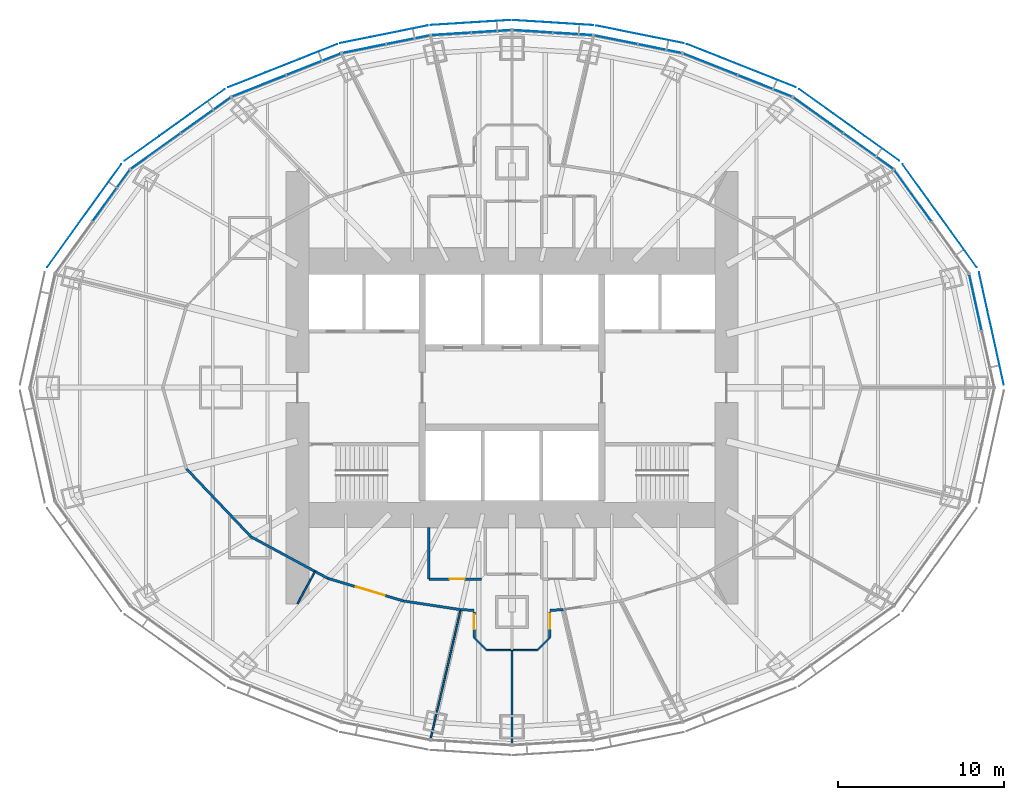
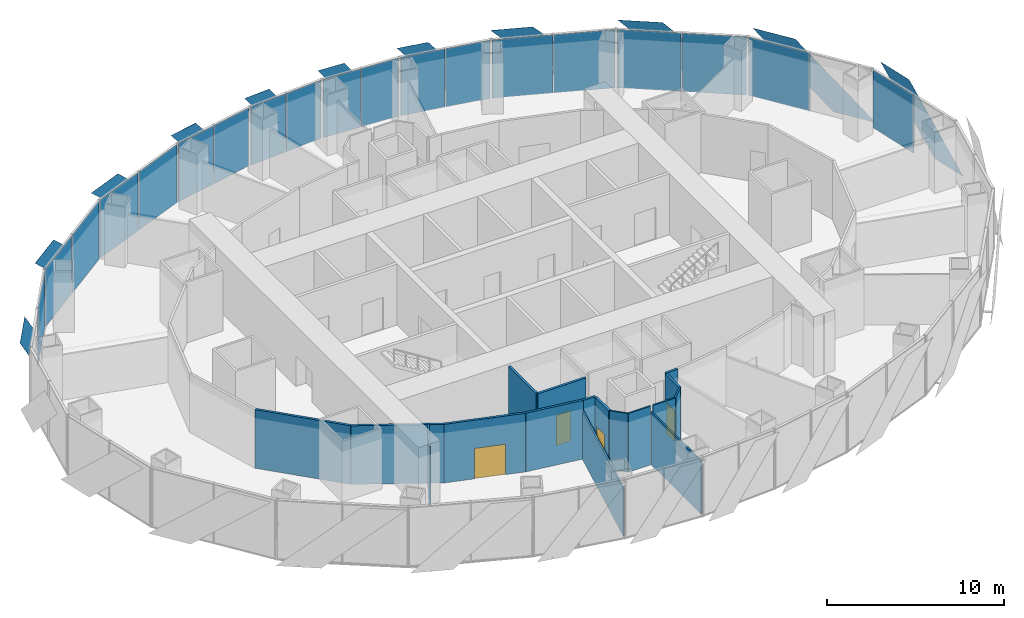
# One storey, part 10 of 18: 30 plates, 17 walls, 4 doors, 4 openings, 11 elements without a shape of their own.
"""IFC4 building model written with IfcOpenShell, lengths in metres."""

from ifc_helpers import new_model, si_unit, direction, frame, frame_2d, origin, origin_2d, place, context, subcontext, project, spatial, polyline, rectangle, outline, extrude, material, layer, layer_set, type_object, element, fill, aggregate, save


model = new_model("IFC4")

# Units and contexts
model_context = context("Model", 3, precision=1e-05, world=origin(), true_north=direction((0.0, 1.0)))
body_context = subcontext(model_context, "Body", "Model", "MODEL_VIEW")
ifc_project = project(units=[si_unit("LENGTHUNIT", "METRE"), si_unit("AREAUNIT", "SQUARE_METRE"), si_unit("VOLUMEUNIT", "CUBIC_METRE"), si_unit("PLANEANGLEUNIT", "RADIAN"), si_unit("MASSUNIT", "GRAM", prefix="KILO")], contexts=[model_context])

# Site, building, storey
site_placement = place(None, origin())
site = spatial("IfcSite", under=ifc_project, at=site_placement, CompositionType="ELEMENT")
building_placement = place(site_placement, origin())
building = spatial("IfcBuilding", under=site, at=building_placement, Name="Lantaw Convention Tower", CompositionType="ELEMENT")
storey_placement = place(building_placement, frame((0.0, 0.0, 146.800048828125)))
storey = spatial("IfcBuildingStorey", under=building, at=storey_placement, Name="L34", CompositionType="ELEMENT", Elevation=146.800048828125)

# Curtain wall, plate
ifc_material_1 = material(Name="Aluminium framed curtain wall", Category="aluminium")
curtain_wall_type = type_object("IfcCurtainWallType", Name="Office curtain wall low rise, pale aluminium", PredefinedType="USERDEFINED", material=ifc_material_1)
curtain_wall_1_placement = place(storey_placement, origin())
curtain_wall_1 = element("IfcCurtainWall", 1, at=curtain_wall_1_placement, inside=storey, type_object=curtain_wall_type, Name="Office curtain wall low rise, pale aluminium L34", ObjectType="UNITISED CURTAIN WALL", PredefinedType="USERDEFINED")
ifc_material_2 = material(Name="Clear insulating glass", Category="glass")
ifc_layer_1 = layer(ifc_material_2, 0.028076171875)
ifc_layer_set_1 = layer_set([ifc_layer_1], Name="CW-O1 panel 28")
plate_type_1 = type_object("IfcPlateType", Name="CW-O1 panel 28", PredefinedType="CURTAIN_PANEL", material=ifc_layer_set_1)
plate_1_placement = place(storey_placement, frame((27.868896484375, 5.1240234375, -0.0849609375), z_axis=(0.0, 0.0, 1.0), x_axis=(-0.215546166174, 0.9764936509, 0.0)))
plate_1 = element("IfcPlate", 2, at=plate_1_placement, type_object=plate_type_1, Name="CW-O1 panel 2.1", PredefinedType="CURTAIN_PANEL", context=body_context, shape_type="SweptSolid", body=[
    extrude(rectangle(XDim=3.41162109375, YDim=0.028076171875, at=origin_2d()), origin(), (0.0, 0.0, 1.0), 4.02001953125),
])
aggregate(curtain_wall_1, [plate_1])

curtain_wall_2_placement = place(storey_placement, origin())
curtain_wall_2 = element("IfcCurtainWall", 3, at=curtain_wall_2_placement, inside=storey, type_object=curtain_wall_type, Name="Office curtain wall low rise, pale aluminium L34", ObjectType="UNITISED CURTAIN WALL", PredefinedType="USERDEFINED")
plate_2_placement = place(storey_placement, frame((24.108154296875, 11.5439453125, -0.0849609375), z_axis=(0.0, 0.0, 1.0), x_axis=(-0.584512597221, 0.811384633629, 0.0)))
plate_2 = element("IfcPlate", 4, at=plate_2_placement, type_object=plate_type_1, Name="CW-O1 panel 2.1", PredefinedType="CURTAIN_PANEL", context=body_context, shape_type="SweptSolid", body=[
    extrude(rectangle(XDim=3.767333984375, YDim=0.028076171875, at=origin_2d()), origin(), (0.0, 0.0, 1.0), 4.02001953125),
])
aggregate(curtain_wall_2, [plate_2])

# Curtain wall, plates
curtain_wall_3_placement = place(storey_placement, origin())
curtain_wall_3 = element("IfcCurtainWall", 5, at=curtain_wall_3_placement, inside=storey, type_object=curtain_wall_type, Name="Office curtain wall low rise, pale aluminium L34", ObjectType="UNITISED CURTAIN WALL", PredefinedType="USERDEFINED")
plate_3_placement = place(storey_placement, frame((21.43408203125, 14.2236328125, -0.0849609375), z_axis=(0.0, 0.0, 1.0), x_axis=(-0.813208325995, 0.581972695693, 0.0)))
plate_3 = element("IfcPlate", 6, at=plate_3_placement, type_object=plate_type_1, Name="CW-O1 panel 1.1", PredefinedType="CURTAIN_PANEL", context=body_context, shape_type="SweptSolid", body=[
    extrude(rectangle(XDim=3.645263671875, YDim=0.028076171875, at=origin_2d()), origin(), (0.0, 0.0, 1.0), 4.02001953125),
])
plate_4_placement = place(storey_placement, frame((18.416748046875, 16.383056640625, -0.0849609375), z_axis=(0.0, 0.0, 1.0), x_axis=(-0.813208325995, 0.581972695693, 0.0)))
plate_4 = element("IfcPlate", 7, at=plate_4_placement, type_object=plate_type_1, Name="CW-O1 panel 2.1", PredefinedType="CURTAIN_PANEL", context=body_context, shape_type="SweptSolid", body=[
    extrude(rectangle(XDim=3.645263671875, YDim=0.028076171875, at=origin_2d()), origin(), (0.0, 0.0, 1.0), 4.02001953125),
])
aggregate(curtain_wall_3, [plate_3, plate_4])

curtain_wall_4_placement = place(storey_placement, origin())
curtain_wall_4 = element("IfcCurtainWall", 8, at=curtain_wall_4_placement, inside=storey, type_object=curtain_wall_type, Name="Office curtain wall low rise, pale aluminium L34", ObjectType="UNITISED CURTAIN WALL", PredefinedType="USERDEFINED")
plate_5_placement = place(storey_placement, frame((15.208251953125, 18.145263671875, -0.0849609375), z_axis=(0.0, 0.0, 1.0), x_axis=(-0.929547687544, 0.368701907483, 0.0)))
plate_5 = element("IfcPlate", 9, at=plate_5_placement, type_object=plate_type_1, Name="CW-O1 panel 1.1", PredefinedType="CURTAIN_PANEL", context=body_context, shape_type="SweptSolid", body=[
    extrude(rectangle(XDim=3.470703125, YDim=0.028076171875, at=origin_2d()), origin(), (0.0, 0.0, 1.0), 4.02001953125),
])
plate_6_placement = place(storey_placement, frame((11.921630859375, 19.448974609375, -0.0849609375), z_axis=(0.0, 0.0, 1.0), x_axis=(-0.929547687544, 0.368701907483, 0.0)))
plate_6 = element("IfcPlate", 10, at=plate_6_placement, type_object=plate_type_1, Name="CW-O1 panel 2.1", PredefinedType="CURTAIN_PANEL", context=body_context, shape_type="SweptSolid", body=[
    extrude(rectangle(XDim=3.470703125, YDim=0.028076171875, at=origin_2d()), origin(), (0.0, 0.0, 1.0), 4.02001953125),
])
aggregate(curtain_wall_4, [plate_5, plate_6])

curtain_wall_5_placement = place(storey_placement, origin())
curtain_wall_5 = element("IfcCurtainWall", 11, at=curtain_wall_5_placement, inside=storey, type_object=curtain_wall_type, Name="Office curtain wall low rise, pale aluminium L34", ObjectType="UNITISED CURTAIN WALL", PredefinedType="USERDEFINED")
plate_7_placement = place(storey_placement, frame((8.893310546875, 20.3857421875, -0.0849609375), z_axis=(0.0, 0.0, 1.0), x_axis=(-0.980301514912, 0.197506809659, 0.0)))
plate_7 = element("IfcPlate", 12, at=plate_7_placement, type_object=plate_type_1, Name="CW-O1 panel 1.1", PredefinedType="CURTAIN_PANEL", context=body_context, shape_type="SweptSolid", body=[
    extrude(rectangle(XDim=2.634033203125, YDim=0.028076171875, at=origin_2d()), origin(), (0.0, 0.0, 1.0), 4.02001953125),
])
plate_8_placement = place(storey_placement, frame((6.247314453125, 20.9189453125, -0.0849609375), z_axis=(0.0, 0.0, 1.0), x_axis=(-0.980301514912, 0.197506809659, 0.0)))
plate_8 = element("IfcPlate", 13, at=plate_8_placement, type_object=plate_type_1, Name="CW-O1 panel 2.1", PredefinedType="CURTAIN_PANEL", context=body_context, shape_type="SweptSolid", body=[
    extrude(rectangle(XDim=2.634033203125, YDim=0.028076171875, at=origin_2d()), origin(), (0.0, 0.0, 1.0), 4.02001953125),
])
aggregate(curtain_wall_5, [plate_7, plate_8])

curtain_wall_6_placement = place(storey_placement, origin())
curtain_wall_6 = element("IfcCurtainWall", 14, at=curtain_wall_6_placement, inside=storey, type_object=curtain_wall_type, Name="Office curtain wall low rise, pale aluminium L34", ObjectType="UNITISED CURTAIN WALL", PredefinedType="USERDEFINED")
plate_9_placement = place(storey_placement, frame((3.653076171875, 21.269775390625, -0.0849609375), z_axis=(0.0, 0.0, 1.0), x_axis=(-0.998022035978, 0.062865059466, 0.0)))
plate_9 = element("IfcPlate", 15, at=plate_9_placement, type_object=plate_type_1, Name="CW-O1 panel 1.1", PredefinedType="CURTAIN_PANEL", context=body_context, shape_type="SweptSolid", body=[
    extrude(rectangle(XDim=2.353515625, YDim=0.028076171875, at=origin_2d()), origin(), (0.0, 0.0, 1.0), 4.02001953125),
])
plate_10_placement = place(storey_placement, frame((1.2392578125, 21.421875, -0.0849609375), z_axis=(0.0, 0.0, 1.0), x_axis=(-0.998022035978, 0.062865059466, 0.0)))
plate_10 = element("IfcPlate", 16, at=plate_10_placement, type_object=plate_type_1, Name="CW-O1 panel 2.1", PredefinedType="CURTAIN_PANEL", context=body_context, shape_type="SweptSolid", body=[
    extrude(rectangle(XDim=2.353515625, YDim=0.028076171875, at=origin_2d()), origin(), (0.0, 0.0, 1.0), 4.02001953125),
])
aggregate(curtain_wall_6, [plate_9, plate_10])

curtain_wall_7_placement = place(storey_placement, origin())
curtain_wall_7 = element("IfcCurtainWall", 17, at=curtain_wall_7_placement, inside=storey, type_object=curtain_wall_type, Name="Office curtain wall low rise, pale aluminium L34", ObjectType="UNITISED CURTAIN WALL", PredefinedType="USERDEFINED")
plate_11_placement = place(storey_placement, frame((-1.2392578125, 21.421875, -0.0849609375), z_axis=(0.0, 0.0, 1.0), x_axis=(-0.998022035978, -0.062865059466, 0.0)))
plate_11 = element("IfcPlate", 18, at=plate_11_placement, type_object=plate_type_1, Name="CW-O1 panel 1.1", PredefinedType="CURTAIN_PANEL", context=body_context, shape_type="SweptSolid", body=[
    extrude(rectangle(XDim=2.353515625, YDim=0.028076171875, at=origin_2d()), origin(), (0.0, 0.0, 1.0), 4.02001953125),
])
plate_12_placement = place(storey_placement, frame((-3.653076171875, 21.269775390625, -0.0849609375), z_axis=(0.0, 0.0, 1.0), x_axis=(-0.998022035978, -0.062865059466, 0.0)))
plate_12 = element("IfcPlate", 19, at=plate_12_placement, type_object=plate_type_1, Name="CW-O1 panel 2.1", PredefinedType="CURTAIN_PANEL", context=body_context, shape_type="SweptSolid", body=[
    extrude(rectangle(XDim=2.353515625, YDim=0.028076171875, at=origin_2d()), origin(), (0.0, 0.0, 1.0), 4.02001953125),
])
aggregate(curtain_wall_7, [plate_11, plate_12])

curtain_wall_8_placement = place(storey_placement, origin())
curtain_wall_8 = element("IfcCurtainWall", 20, at=curtain_wall_8_placement, inside=storey, type_object=curtain_wall_type, Name="Office curtain wall low rise, pale aluminium L34", ObjectType="UNITISED CURTAIN WALL", PredefinedType="USERDEFINED")
plate_13_placement = place(storey_placement, frame((-6.247314453125, 20.9189453125, -0.0849609375), z_axis=(0.0, 0.0, 1.0), x_axis=(-0.980301514912, -0.197506809659, 0.0)))
plate_13 = element("IfcPlate", 21, at=plate_13_placement, type_object=plate_type_1, Name="CW-O1 panel 1.1", PredefinedType="CURTAIN_PANEL", context=body_context, shape_type="SweptSolid", body=[
    extrude(rectangle(XDim=2.634033203125, YDim=0.028076171875, at=origin_2d()), origin(), (0.0, 0.0, 1.0), 4.02001953125),
])
plate_14_placement = place(storey_placement, frame((-8.893310546875, 20.3857421875, -0.0849609375), z_axis=(0.0, 0.0, 1.0), x_axis=(-0.980301514912, -0.197506809659, 0.0)))
plate_14 = element("IfcPlate", 22, at=plate_14_placement, type_object=plate_type_1, Name="CW-O1 panel 2.1", PredefinedType="CURTAIN_PANEL", context=body_context, shape_type="SweptSolid", body=[
    extrude(rectangle(XDim=2.634033203125, YDim=0.028076171875, at=origin_2d()), origin(), (0.0, 0.0, 1.0), 4.02001953125),
])
aggregate(curtain_wall_8, [plate_13, plate_14])

curtain_wall_9_placement = place(storey_placement, origin())
curtain_wall_9 = element("IfcCurtainWall", 23, at=curtain_wall_9_placement, inside=storey, type_object=curtain_wall_type, Name="Office curtain wall low rise, pale aluminium L34", ObjectType="UNITISED CURTAIN WALL", PredefinedType="USERDEFINED")
plate_15_placement = place(storey_placement, frame((-11.921630859375, 19.448974609375, -0.0849609375), z_axis=(0.0, 0.0, 1.0), x_axis=(-0.929547687544, -0.368701907483, 0.0)))
plate_15 = element("IfcPlate", 24, at=plate_15_placement, type_object=plate_type_1, Name="CW-O1 panel 1.1", PredefinedType="CURTAIN_PANEL", context=body_context, shape_type="SweptSolid", body=[
    extrude(rectangle(XDim=3.470703125, YDim=0.028076171875, at=origin_2d()), origin(), (0.0, 0.0, 1.0), 4.02001953125),
])
plate_16_placement = place(storey_placement, frame((-15.208251953125, 18.145263671875, -0.0849609375), z_axis=(0.0, 0.0, 1.0), x_axis=(-0.929547687544, -0.368701907483, 0.0)))
plate_16 = element("IfcPlate", 25, at=plate_16_placement, type_object=plate_type_1, Name="CW-O1 panel 2.1", PredefinedType="CURTAIN_PANEL", context=body_context, shape_type="SweptSolid", body=[
    extrude(rectangle(XDim=3.470703125, YDim=0.028076171875, at=origin_2d()), origin(), (0.0, 0.0, 1.0), 4.02001953125),
])
aggregate(curtain_wall_9, [plate_15, plate_16])

curtain_wall_10_placement = place(storey_placement, origin())
curtain_wall_10 = element("IfcCurtainWall", 26, at=curtain_wall_10_placement, inside=storey, type_object=curtain_wall_type, Name="Office curtain wall low rise, pale aluminium L34", ObjectType="UNITISED CURTAIN WALL", PredefinedType="USERDEFINED")
plate_17_placement = place(storey_placement, frame((-18.416748046875, 16.383056640625, -0.0849609375), z_axis=(0.0, 0.0, 1.0), x_axis=(-0.813208325995, -0.581972695693, 0.0)))
plate_17 = element("IfcPlate", 27, at=plate_17_placement, type_object=plate_type_1, Name="CW-O1 panel 1.1", PredefinedType="CURTAIN_PANEL", context=body_context, shape_type="SweptSolid", body=[
    extrude(rectangle(XDim=3.645263671875, YDim=0.028076171875, at=origin_2d()), origin(), (0.0, 0.0, 1.0), 4.02001953125),
])
plate_18_placement = place(storey_placement, frame((-21.43408203125, 14.2236328125, -0.0849609375), z_axis=(0.0, 0.0, 1.0), x_axis=(-0.813208325995, -0.581972695693, 0.0)))
plate_18 = element("IfcPlate", 28, at=plate_18_placement, type_object=plate_type_1, Name="CW-O1 panel 2.1", PredefinedType="CURTAIN_PANEL", context=body_context, shape_type="SweptSolid", body=[
    extrude(rectangle(XDim=3.645263671875, YDim=0.028076171875, at=origin_2d()), origin(), (0.0, 0.0, 1.0), 4.02001953125),
])
aggregate(curtain_wall_10, [plate_17, plate_18])

# Curtain wall, plate
curtain_wall_11_placement = place(storey_placement, origin())
curtain_wall_11 = element("IfcCurtainWall", 29, at=curtain_wall_11_placement, inside=storey, type_object=curtain_wall_type, Name="Office curtain wall low rise, pale aluminium L34", ObjectType="UNITISED CURTAIN WALL", PredefinedType="USERDEFINED")
plate_19_placement = place(storey_placement, frame((-24.108154296875, 11.5439453125, -0.0849609375), z_axis=(0.0, 0.0, 1.0), x_axis=(-0.584512597221, -0.811384633629, 0.0)))
plate_19 = element("IfcPlate", 30, at=plate_19_placement, type_object=plate_type_1, Name="CW-O1 panel 1.1", PredefinedType="CURTAIN_PANEL", context=body_context, shape_type="SweptSolid", body=[
    extrude(rectangle(XDim=3.767333984375, YDim=0.028076171875, at=origin_2d()), origin(), (0.0, 0.0, 1.0), 4.02001953125),
])
aggregate(curtain_wall_11, [plate_19])

# Plates
ifc_material_3 = material(Name="Perforated aluminium sheet, pale silver finish", Category="aluminium")
ifc_layer_2 = layer(ifc_material_3, 0.006103515625)
ifc_layer_set_2 = layer_set([ifc_layer_2], Name="Perforated aluminium solar SCREEN panel")
plate_type_2 = type_object("IfcPlateType", Name="Perforated aluminium solar SCREEN panel", PredefinedType="SHEET", material=ifc_layer_set_2)
plate_20_placement = place(storey_placement, frame((29.5810546875, 0.179443359375, -0.175048828125), z_axis=(0.976497812463, 0.215527309509, 3.332717e-05), x_axis=(-0.215527309629, 0.976497813005, 1.665e-09)))
element("IfcPlate", 31, at=plate_20_placement, inside=storey, type_object=plate_type_2, Name="Solar SCREEN panel", PredefinedType="SHEET", context=body_context, shape_type="SweptSolid", body=[
    extrude(outline(polyline([(0.0, 0.0), (2.3861843673609986, 3.3881317890172014e-21), (6.918240190546627, 4.340087881517419), (4.532108442157707, 4.340087889462621), (0.0, 0.0)])), origin(), (0.0, 0.0, -1.0), 0.006103515625),
])
plate_21_placement = place(storey_placement, frame((27.94970703125, 7.248046875, -0.175048828125), z_axis=(0.81139512159, 0.584498037099, 3.5886784e-05), x_axis=(-0.584498037475, 0.811395122112, -9.74e-10)))
element("IfcPlate", 32, at=plate_21_placement, inside=storey, type_object=plate_type_2, Name="Solar SCREEN panel", PredefinedType="SHEET", context=body_context, shape_type="SweptSolid", body=[
    extrude(outline(polyline([(0.0, 0.0), (2.628222178575422, -6.776263578034403e-21), (7.629778257969264, 4.340087900852944), (5.001754173906077, 4.340087895732103), (0.0, 0.0)])), origin(), (0.0, 0.0, -1.0), 0.006103515625),
])
plate_22_placement = place(storey_placement, frame((23.281005859375, 13.64697265625, -0.175048828125), z_axis=(0.582000183937, 0.813188653244, 1.1537145e-05), x_axis=(-0.813188653298, 0.582000183975, 0.0)))
element("IfcPlate", 33, at=plate_22_placement, inside=storey, type_object=plate_type_2, Name="Solar SCREEN panel", PredefinedType="SHEET", context=body_context, shape_type="SweptSolid", body=[
    extrude(outline(polyline([(0.0, 0.0), (2.5450183911586484, 0.0), (7.385531276904658, 4.340087890913846), (4.840512885746009, 4.340087890913846), (0.0, 0.0)])), origin(), (0.0, 0.0, -1.0), 0.006103515625),
])
plate_23_placement = place(storey_placement, frame((17.05859375, 18.063232421875, -0.175048828125), z_axis=(-0.368708915367, -0.929544907797, 1.086705e-05), x_axis=(-0.929544907851, 0.368708915389, 7.1e-10)))
element("IfcPlate", 34, at=plate_23_placement, inside=storey, type_object=plate_type_2, Name="Solar SCREEN panel", PredefinedType="SHEET", context=body_context, shape_type="SweptSolid", body=[
    extrude(outline(polyline([(0.0, 0.0), (2.4263803793049097, -1.6940658945086007e-21), (7.036549629566982, -4.340087885886879), (4.61003232741235, -4.340087889331358), (0.0, 0.0)])), origin(), (0.0, 0.0, -1.0), 0.006103515625),
])
plate_24_placement = place(storey_placement, frame((10.318603515625, 20.716796875, -0.175048828125), z_axis=(0.197556725442, 0.980291455983, 3.9483498e-05), x_axis=(-0.980291456747, 0.197556725596, 0.0)))
element("IfcPlate", 35, at=plate_24_placement, inside=storey, type_object=plate_type_2, Name="Solar SCREEN panel", PredefinedType="SHEET", context=body_context, shape_type="SweptSolid", body=[
    extrude(outline(polyline([(0.0, 0.0), (1.8574075788555457, 3.3881317890172014e-21), (5.362987026845185, 4.340087894007983), (3.505579447989639, 4.340087894007983), (0.0, 0.0)])), origin(), (0.0, 0.0, -1.0), 0.006103515625),
])
plate_25_placement = place(storey_placement, frame((4.880615234375, 21.7998046875, -0.175048828125), z_axis=(0.062838799866, 0.998023689713, 1.755059e-06), x_axis=(-0.998023689715, 0.062838799866, -8e-12)))
element("IfcPlate", 36, at=plate_25_placement, inside=storey, type_object=plate_type_2, Name="Solar SCREEN panel", PredefinedType="SHEET", context=body_context, shape_type="SweptSolid", body=[
    extrude(outline(polyline([(0.0, 0.0), (1.6666243269452135, 2.6469779601696886e-23), (4.802214797186689, 4.340087890670476), (3.135346812114104, 4.340087890643548), (0.0, 0.0)])), origin(), (0.0, 0.0, -1.0), 0.006103515625),
])
plate_26_placement = place(storey_placement, frame((-0.087890625, 22.1015625, -0.175048828125), z_axis=(0.062838799866, -0.998023689713, 1.755059e-06), x_axis=(-0.998023689715, -0.062838799866, 8e-12)))
element("IfcPlate", 37, at=plate_26_placement, inside=storey, type_object=plate_type_2, Name="Solar SCREEN panel", PredefinedType="SHEET", context=body_context, shape_type="SweptSolid", body=[
    extrude(outline(polyline([(0.0, 0.0), (1.6668679850725854, -5.293955920339377e-23), (4.802214797256801, -4.340087890592899), (3.1355904703115876, -4.340087890619822), (0.0, 0.0)])), origin(), (0.0, 0.0, -1.0), 0.006103515625),
])
plate_27_placement = place(storey_placement, frame((-5.061279296875, 21.776123046875, -0.175048828125), z_axis=(0.197556725442, -0.980291455983, 3.9483498e-05), x_axis=(-0.980291456747, -0.197556725596, 0.0)))
element("IfcPlate", 38, at=plate_27_placement, inside=storey, type_object=plate_type_2, Name="Solar SCREEN panel", PredefinedType="SHEET", context=body_context, shape_type="SweptSolid", body=[
    extrude(outline(polyline([(0.0, 0.0), (1.8574075788555457, -3.3881317890172014e-21), (5.362987026845185, -4.340087894007983), (3.505579447989639, -4.340087894007983), (0.0, 0.0)])), origin(), (0.0, 0.0, -1.0), 0.006103515625),
])
plate_28_placement = place(storey_placement, frame((-10.517822265625, 20.65771484375, -0.175048828125), z_axis=(-0.368708915367, 0.929544907797, 1.086705e-05), x_axis=(-0.929544907851, -0.368708915389, -7.1e-10)))
element("IfcPlate", 39, at=plate_28_placement, inside=storey, type_object=plate_type_2, Name="Solar SCREEN panel", PredefinedType="SHEET", context=body_context, shape_type="SweptSolid", body=[
    extrude(outline(polyline([(0.0, 0.0), (2.426517302154632, -1.6940658945086007e-21), (7.036549623406159, 4.340087895875372), (4.610169244101249, 4.340087892431086), (0.0, 0.0)])), origin(), (0.0, 0.0, -1.0), 0.006103515625),
])
plate_29_placement = place(storey_placement, frame((-17.275146484375, 17.9453125, -0.175048828125), z_axis=(0.582000183937, -0.813188653244, 1.1537145e-05), x_axis=(-0.813188653298, -0.582000183975, 0.0)))
element("IfcPlate", 40, at=plate_29_placement, inside=storey, type_object=plate_type_2, Name="Solar SCREEN panel", PredefinedType="SHEET", context=body_context, shape_type="SweptSolid", body=[
    extrude(outline(polyline([(0.0, 0.0), (2.5450183911586484, 0.0), (7.385531276904658, -4.340087890913846), (4.840512885746009, -4.340087890913846), (0.0, 0.0)])), origin(), (0.0, 0.0, -1.0), 0.006103515625),
])
plate_30_placement = place(storey_placement, frame((-23.489990234375, 13.438720703125, -0.175048828125), z_axis=(0.81139512159, -0.584498037099, 3.5886784e-05), x_axis=(-0.584498037475, -0.811395122112, 9.74e-10)))
element("IfcPlate", 41, at=plate_30_placement, inside=storey, type_object=plate_type_2, Name="Solar SCREEN panel", PredefinedType="SHEET", context=body_context, shape_type="SweptSolid", body=[
    extrude(outline(polyline([(0.0, 0.0), (2.6280240840631874, -6.776263578034403e-21), (7.6297782664261495, -4.340087885985926), (5.0015560878507275, -4.340087891107152), (0.0, 0.0)])), origin(), (0.0, 0.0, -1.0), 0.006103515625),
])

# Walls
ifc_material_4 = material(Name="Gypsum board on steel studs, fire rated", Category="steel")
ifc_layer_3 = layer(ifc_material_4, 0.14990234375)
ifc_layer_set_3 = layer_set([ifc_layer_3], Name="Corridor wall 150 EI 60")
wall_type_1 = type_object("IfcWallType", Name="Corridor wall 150 EI 60", PredefinedType="PARTITIONING", material=ifc_layer_set_3)
wall_1_placement = place(storey_placement, frame((-19.5791015625, -4.881591796875, 0.0), z_axis=(0.0, 0.0, 1.0), x_axis=(0.688797257101, -0.72495402517, 0.0)))
element("IfcWall", 42, at=wall_1_placement, inside=storey, type_object=wall_type_1, Name="Corridor wall 150", PredefinedType="PARTITIONING", context=body_context, shape_type="SweptSolid", body=[
    extrude(rectangle(XDim=5.63818359375, YDim=0.14990234375, at=frame_2d((2.819091796875, 0.0))), origin(), (0.0, 0.0, 1.0), 4.050048828125),
])
wall_2_placement = place(storey_placement, frame((-15.695556640625, -8.968994140625, 0.0), z_axis=(0.0, 0.0, 1.0), x_axis=(0.879436285334, -0.476016617397, 0.0)))
element("IfcWall", 43, at=wall_2_placement, inside=storey, type_object=wall_type_1, Name="Corridor wall 150", PredefinedType="PARTITIONING", context=body_context, shape_type="SweptSolid", body=[
    extrude(rectangle(XDim=5.2529296875, YDim=0.14990234375, at=frame_2d((2.62646484375, 0.0))), origin(), (0.0, 0.0, 1.0), 4.050048828125),
])

# Wall, opening, door
wall_3_placement = place(storey_placement, frame((-11.075927734375, -11.469482421875, 0.0), z_axis=(0.0, 0.0, 1.0), x_axis=(0.957933992798, -0.286988615527, 0.0)))
wall_3 = element("IfcWall", 44, at=wall_3_placement, inside=storey, type_object=wall_type_1, Name="Corridor wall 150", PredefinedType="PARTITIONING", context=body_context, shape_type="SweptSolid", body=[
    extrude(rectangle(XDim=4.73828125, YDim=0.14990234375, at=frame_2d((2.369140625, 0.0))), origin(), (0.0, 0.0, 1.0), 4.050048828125),
])
opening_1_placement = place(wall_3_placement, frame((1.773681640625, 0.0, 0.0)))
opening_1 = element("IfcOpeningElement", 45, at=opening_1_placement, cuts=wall_3, Name="Opening L34.29", PredefinedType="OPENING", context=body_context, shape_type="SweptSolid", body=[
    extrude(rectangle(XDim=1.800048828125, YDim=2.10009765625, at=frame_2d((0.89990234375, 1.050048828125))), frame((0.0, 0.0849609375, 0.0), z_axis=(0.0, -1.0, 0.0), x_axis=(1.0, 0.0, 0.0)), (0.0, 0.0, 1.0), 0.169921875),
])
ifc_material_5 = material(Name="Steel, fire rated", Category="steel")
door_type_1 = type_object("IfcDoorType", Name="Office double door 1800 FD30", OperationType="DOUBLE_DOOR_DOUBLE_SWING", PredefinedType="DOOR", material=ifc_material_5)
door_1_placement = place(opening_1_placement, origin())
door_1 = element("IfcDoor", 46, at=door_1_placement, inside=storey, type_object=door_type_1, Name="Open office door", OperationType="DOUBLE_DOOR_DOUBLE_SWING", OverallHeight=2.10009765625, OverallWidth=1.800048828125, PredefinedType="DOOR", context=body_context, shape_type="SweptSolid", body=[
    extrude(rectangle(XDim=1.800048828125, YDim=2.10009765625, at=frame_2d((0.89990234375, 1.050048828125))), frame((0.0, 0.02490234375, 0.0), z_axis=(0.0, -1.0, 0.0), x_axis=(1.0, 0.0, 0.0)), (0.0, 0.0, 1.0), 0.050048828125),
])
fill(opening_1, door_1)

# Walls
wall_4_placement = place(storey_placement, frame((-6.536865234375, -12.829345703125, 0.0), z_axis=(0.0, 0.0, 1.0), x_axis=(0.988668719464, -0.150113833987, 0.0)))
element("IfcWall", 47, at=wall_4_placement, inside=storey, type_object=wall_type_1, Name="Corridor wall 150", PredefinedType="PARTITIONING", context=body_context, shape_type="SweptSolid", body=[
    extrude(rectangle(XDim=3.493408203125, YDim=0.14990234375, at=frame_2d((1.74658203125, 0.0))), origin(), (0.0, 0.0, 1.0), 4.050048828125),
])
for number, where, z_axis, x_axis, name in (
    (48, (-3.0830078125, -13.353759765625, 0.0), (0.0, 0.0, 1.0), (0.998878614804, -0.04734461836, 0.0), "Corridor wall 150"),
    (49, (2.294921875, -13.39111328125, 0.0), (0.0, 0.0, 1.0), (0.998878614804, 0.04734461836, 0.0), "Corridor wall 150"),
):
    element("IfcWall", number, at=place(storey_placement, frame(where, z_axis=z_axis, x_axis=x_axis)), inside=storey, type_object=wall_type_1, Name=name, PredefinedType="PARTITIONING", context=body_context, shape_type="SweptSolid", body=[
        extrude(rectangle(XDim=0.7890625, YDim=0.14990234375, at=frame_2d((0.39453125, 0.0))), origin(), (0.0, 0.0, 1.0), 4.050048828125),
    ])

# Wall, opening, door
wall_5_placement = place(storey_placement, frame((-2.284912109375, -15.0322265625, 0.0), z_axis=(0.0, 0.0, 1.0), x_axis=(0.0, 1.0, 0.0)))
wall_5 = element("IfcWall", 50, at=wall_5_placement, inside=storey, type_object=wall_type_1, Name="Corridor wall 150", PredefinedType="PARTITIONING", context=body_context, shape_type="SweptSolid", body=[
    extrude(rectangle(XDim=1.53955078125, YDim=0.14990234375, at=frame_2d((0.769775390625, 0.0))), origin(), (0.0, 0.0, 1.0), 4.050048828125),
])
opening_2_placement = place(wall_5_placement, frame((0.5, 0.0, 0.0)))
opening_2 = element("IfcOpeningElement", 51, at=opening_2_placement, cuts=wall_5, Name="Opening L34.30", PredefinedType="OPENING", context=body_context, shape_type="SweptSolid", body=[
    extrude(rectangle(XDim=0.89990234375, YDim=2.10009765625, at=frame_2d((0.449951171875, 1.050048828125))), frame((0.0, 0.0849609375, 0.0), z_axis=(0.0, -1.0, 0.0), x_axis=(1.0, 0.0, 0.0)), (0.0, 0.0, 1.0), 0.169921875),
])
door_type_2 = type_object("IfcDoorType", Name="Office door 900 FD30", OperationType="SINGLE_SWING_LEFT", PredefinedType="DOOR", material=ifc_material_5)
door_2_placement = place(opening_2_placement, origin())
door_2 = element("IfcDoor", 52, at=door_2_placement, inside=storey, type_object=door_type_2, Name="Meeting room door", OperationType="SINGLE_SWING_LEFT", OverallHeight=2.10009765625, OverallWidth=0.89990234375, PredefinedType="DOOR", context=body_context, shape_type="SweptSolid", body=[
    extrude(rectangle(XDim=0.89990234375, YDim=2.10009765625, at=frame_2d((0.449951171875, 1.050048828125))), frame((0.0, 0.02490234375, 0.0), z_axis=(0.0, -1.0, 0.0), x_axis=(1.0, 0.0, 0.0)), (0.0, 0.0, 1.0), 0.050048828125),
])
fill(opening_2, door_2)

wall_6_placement = place(storey_placement, frame((2.284912109375, -13.49267578125, 0.0), z_axis=(0.0, 0.0, 1.0), x_axis=(0.0, -1.0, 0.0)))
wall_6 = element("IfcWall", 53, at=wall_6_placement, inside=storey, type_object=wall_type_1, Name="Corridor wall 150", PredefinedType="PARTITIONING", context=body_context, shape_type="SweptSolid", body=[
    extrude(rectangle(XDim=1.53955078125, YDim=0.14990234375, at=frame_2d((0.769775390625, 0.0))), origin(), (0.0, 0.0, 1.0), 4.050048828125),
])
opening_3_placement = place(wall_6_placement, frame((0.10009765625, 0.0, 0.0)))
opening_3 = element("IfcOpeningElement", 54, at=opening_3_placement, cuts=wall_6, Name="Opening L34.31", PredefinedType="OPENING", context=body_context, shape_type="SweptSolid", body=[
    extrude(rectangle(XDim=0.89990234375, YDim=2.10009765625, at=frame_2d((0.449951171875, 1.050048828125))), frame((0.0, 0.0849609375, 0.0), z_axis=(0.0, -1.0, 0.0), x_axis=(1.0, 0.0, 0.0)), (0.0, 0.0, 1.0), 0.169921875),
])
door_3_placement = place(opening_3_placement, origin())
door_3 = element("IfcDoor", 55, at=door_3_placement, inside=storey, type_object=door_type_2, Name="Meeting room door", OperationType="SINGLE_SWING_LEFT", OverallHeight=2.10009765625, OverallWidth=0.89990234375, PredefinedType="DOOR", context=body_context, shape_type="SweptSolid", body=[
    extrude(rectangle(XDim=0.89990234375, YDim=2.10009765625, at=frame_2d((0.449951171875, 1.050048828125))), frame((0.0, 0.02490234375, 0.0), z_axis=(0.0, -1.0, 0.0), x_axis=(1.0, 0.0, 0.0)), (0.0, 0.0, 1.0), 0.050048828125),
])
fill(opening_3, door_3)

# Walls
ifc_material_6 = material(Name="Gypsum board on steel studs, acoustic", Category="steel")
ifc_layer_4 = layer(ifc_material_6, 0.10009765625)
ifc_layer_set_4 = layer_set([ifc_layer_4], Name="Office partition 100")
wall_type_2 = type_object("IfcWallType", Name="Office partition 100", PredefinedType="PARTITIONING", material=ifc_layer_set_4)
wall_7_placement = place(storey_placement, frame((-4.89697265625, -21.134765625, 0.0), z_axis=(0.0, 0.0, 1.0), x_axis=(0.227039313577, 0.973885593943, 0.0)))
element("IfcWall", 56, at=wall_7_placement, inside=storey, type_object=wall_type_2, Name="Office partition 100", PredefinedType="PARTITIONING", context=body_context, shape_type="SweptSolid", body=[
    extrude(rectangle(XDim=7.98974609375, YDim=0.10009765625, at=frame_2d((3.994873046875, 0.0))), origin(), (0.0, 0.0, 1.0), 3.29296875),
])
wall_8_placement = place(storey_placement, frame((-12.89990234375, -13.0, 0.0), z_axis=(0.0, 0.0, 1.0), x_axis=(0.475998959765, 0.879445842734, 0.0)))
element("IfcWall", 57, at=wall_8_placement, inside=storey, type_object=wall_type_2, Name="Office partition 100", PredefinedType="PARTITIONING", context=body_context, shape_type="SweptSolid", body=[
    extrude(rectangle(XDim=2.214111328125, YDim=0.10009765625, at=frame_2d((1.10693359375, 0.0))), origin(), (0.0, 0.0, 1.0), 4.050048828125),
])
wall_9_placement = place(storey_placement, frame((0.0, -21.44482421875, 0.0), z_axis=(0.0, 0.0, 1.0), x_axis=(0.0, 1.0, 0.0)))
element("IfcWall", 58, at=wall_9_placement, inside=storey, type_object=wall_type_2, Name="Office partition 100", PredefinedType="PARTITIONING", context=body_context, shape_type="SweptSolid", body=[
    extrude(rectangle(XDim=5.64990234375, YDim=0.10009765625, at=frame_2d((2.824951171875, 0.0))), origin(), (0.0, 0.0, 1.0), 3.64599609375),
])
wall_10_placement = place(storey_placement, frame((-0.078125, -15.784912109375, 0.0), z_axis=(0.0, 0.0, 1.0), x_axis=(-1.0, 0.0, 0.0)))
element("IfcWall", 59, at=wall_10_placement, inside=storey, type_object=wall_type_2, Name="Office partition 100", PredefinedType="PARTITIONING", context=body_context, shape_type="SweptSolid", body=[
    extrude(rectangle(XDim=1.4541015625, YDim=0.10009765625, at=frame_2d((0.72705078125, 0.0))), origin(), (0.0, 0.0, 1.0), 4.050048828125),
])
for number, where, z_axis, x_axis, name in (
    (60, (-1.5322265625, -15.784912109375, 0.0), (0.0, 0.0, 1.0), (-0.707106781187, 0.707106781187, 0.0), "Office partition 100"),
    (61, (2.284912109375, -15.0322265625, 0.0), (0.0, 0.0, 1.0), (-0.707106781187, -0.707106781187, 0.0), "Office partition 100"),
):
    element("IfcWall", number, at=place(storey_placement, frame(where, z_axis=z_axis, x_axis=x_axis)), inside=storey, type_object=wall_type_2, Name=name, PredefinedType="PARTITIONING", context=body_context, shape_type="SweptSolid", body=[
        extrude(rectangle(XDim=1.064453125, YDim=0.10009765625, at=frame_2d((0.5322265625, 0.0))), origin(), (0.0, 0.0, 1.0), 4.050048828125),
    ])
wall_11_placement = place(storey_placement, frame((1.5322265625, -15.784912109375, 0.0), z_axis=(0.0, 0.0, 1.0), x_axis=(-1.0, 0.0, 0.0)))
element("IfcWall", 62, at=wall_11_placement, inside=storey, type_object=wall_type_2, Name="Office partition 100", PredefinedType="PARTITIONING", context=body_context, shape_type="SweptSolid", body=[
    extrude(rectangle(XDim=1.4541015625, YDim=0.10009765625, at=frame_2d((0.72705078125, 0.0))), origin(), (0.0, 0.0, 1.0), 4.050048828125),
])
ifc_material_7 = material(Name="Concrete blockwork", Category="masonry")
ifc_layer_5 = layer(ifc_material_7, 0.14990234375)
ifc_layer_set_5 = layer_set([ifc_layer_5], Name="WC wall 150")
wall_type_3 = type_object("IfcWallType", Name="WC wall 150", PredefinedType="SOLIDWALL", material=ifc_layer_set_5)
wall_12_placement = place(storey_placement, frame((-5.0, -8.39990234375, 0.0), z_axis=(0.0, 0.0, 1.0), x_axis=(0.0, -1.0, 0.0)))
element("IfcWall", 63, at=wall_12_placement, inside=storey, type_object=wall_type_3, Name="WC wall 150", PredefinedType="SOLIDWALL", context=body_context, shape_type="SweptSolid", body=[
    extrude(rectangle(XDim=3.112060546875, YDim=0.14990234375, at=frame_2d((1.55615234375, 0.0))), origin(), (0.0, 0.0, 1.0), 4.050048828125),
])

# Wall, opening, door
wall_13_placement = place(storey_placement, frame((-5.0, -11.511962890625, 0.0), z_axis=(0.0, 0.0, 1.0), x_axis=(1.0, 0.0, 0.0)))
wall_13 = element("IfcWall", 64, at=wall_13_placement, inside=storey, type_object=wall_type_3, Name="WC wall 150", PredefinedType="SOLIDWALL", context=body_context, shape_type="SweptSolid", body=[
    extrude(rectangle(XDim=3.156494140625, YDim=0.14990234375, at=frame_2d((1.578125, 0.0))), origin(), (0.0, 0.0, 1.0), 4.050048828125),
])
opening_4_placement = place(wall_13_placement, frame((1.25, 0.0, 0.0)))
opening_4 = element("IfcOpeningElement", 65, at=opening_4_placement, cuts=wall_13, Name="Opening L34.18", PredefinedType="OPENING", context=body_context, shape_type="SweptSolid", body=[
    extrude(rectangle(XDim=0.89990234375, YDim=2.10009765625, at=frame_2d((0.449951171875, 1.050048828125))), frame((0.0, 0.0849609375, 0.0), z_axis=(0.0, -1.0, 0.0), x_axis=(1.0, 0.0, 0.0)), (0.0, 0.0, 1.0), 0.169921875),
])
ifc_material_8 = material(Name="Timber", Category="wood")
door_type_3 = type_object("IfcDoorType", Name="WC door 900", OperationType="SINGLE_SWING_LEFT", PredefinedType="DOOR", material=ifc_material_8)
door_4_placement = place(opening_4_placement, origin())
door_4 = element("IfcDoor", 66, at=door_4_placement, inside=storey, type_object=door_type_3, Name="Female WC door", OperationType="SINGLE_SWING_LEFT", OverallHeight=2.10009765625, OverallWidth=0.89990234375, PredefinedType="DOOR", context=body_context, shape_type="SweptSolid", body=[
    extrude(rectangle(XDim=0.89990234375, YDim=2.10009765625, at=frame_2d((0.449951171875, 1.050048828125))), frame((0.0, 0.02490234375, 0.0), z_axis=(0.0, -1.0, 0.0), x_axis=(1.0, 0.0, 0.0)), (0.0, 0.0, 1.0), 0.050048828125),
])
fill(opening_4, door_4)

save(model, "model.ifc")
